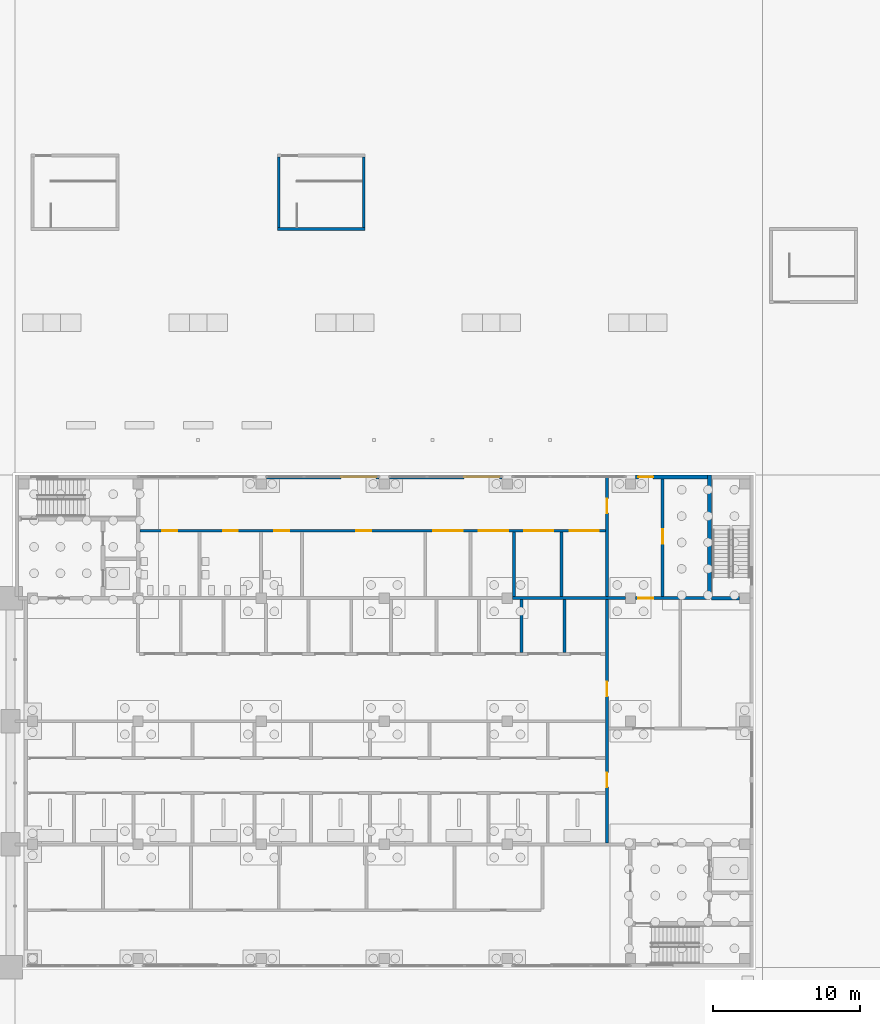
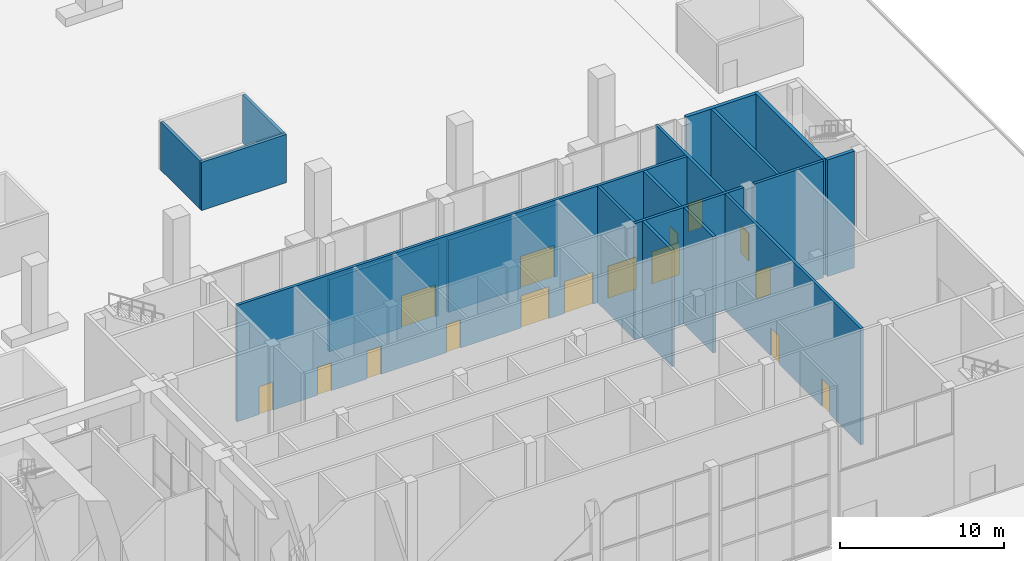
# One storey, part 27 of 46: 17 walls, 16 doors, 16 openings.
"""IFC4 building model written with IfcOpenShell, lengths in metres."""

from ifc_helpers import new_model, si_unit, direction, frame, frame_2d, origin, place, context, subcontext, project, spatial, rectangle, extrude, material, layer, layer_set, type_object, element, fill, save


model = new_model("IFC4")

# Units and contexts
model_context = context("Model", 3, precision=1e-05, world=origin(), true_north=direction((0.0, 1.0)))
body_context = subcontext(model_context, "Body", "Model", "MODEL_VIEW")
ifc_project = project(units=[si_unit("LENGTHUNIT", "METRE"), si_unit("AREAUNIT", "SQUARE_METRE"), si_unit("VOLUMEUNIT", "CUBIC_METRE"), si_unit("PLANEANGLEUNIT", "RADIAN"), si_unit("MASSUNIT", "GRAM", prefix="KILO")], contexts=[model_context])

# Site, building, storey
site_placement = place(None, origin())
site = spatial("IfcSite", under=ifc_project, at=site_placement, CompositionType="ELEMENT")
building_placement = place(site_placement, origin())
building = spatial("IfcBuilding", under=site, at=building_placement, Name="Vermilion Gate Residences", CompositionType="ELEMENT")
storey_placement = place(building_placement, origin())
storey = spatial("IfcBuildingStorey", under=building, at=storey_placement, Name="L00", CompositionType="ELEMENT", Elevation=0.0)

# Wall, opening, door
ifc_material_1 = material(Name="Insulated masonry", Category="masonry")
ifc_layer_1 = layer(ifc_material_1, 0.25)
ifc_layer_set_1 = layer_set([ifc_layer_1], Name="EXTERNAL WALL 250 MASONRY (MARKET HALL)")
wall_type_1 = type_object("IfcWallType", Name="EXTERNAL WALL 250 MASONRY (MARKET HALL)", PredefinedType="SOLIDWALL", material=ifc_layer_set_1)
wall_1_placement = place(storey_placement, frame((109.85009765625, 33.47509765625, 0.0), z_axis=(0.0, 0.0, 1.0), x_axis=(1.0, 0.0, 0.0)))
wall_1 = element("IfcWall", 1, at=wall_1_placement, inside=storey, type_object=wall_type_1, Name="External wall L00-43", PredefinedType="SOLIDWALL", context=body_context, shape_type="SweptSolid", body=[
    extrude(rectangle(XDim=4.9248046875, YDim=0.25, at=frame_2d((2.46240234375, 0.0))), origin(), (0.0, 0.0, 1.0), 8.699951171875),
])
opening_1_placement = place(wall_1_placement, frame((0.199951171875, 0.0, 0.0)))
opening_1 = element("IfcOpeningElement", 2, at=opening_1_placement, cuts=wall_1, Name="Opening DH00061", PredefinedType="OPENING", context=body_context, shape_type="SweptSolid", body=[
    extrude(rectangle(XDim=1.0, YDim=2.10009765625, at=frame_2d((0.5, 1.050048828125))), frame((0.0, 0.135009765625, 0.0), z_axis=(0.0, -1.0, 0.0), x_axis=(1.0, 0.0, 0.0)), (0.0, 0.0, 1.0), 0.27001953125),
])
ifc_material_2 = material(Name="Steel", Category="steel")
door_type_1 = type_object("IfcDoorType", Name="EXIT DOOR FD60 1000 X 2100 (MARKET HALL)", OperationType="SINGLE_SWING_LEFT", PredefinedType="DOOR", material=ifc_material_2)
door_1_placement = place(opening_1_placement, origin())
door_1 = element("IfcDoor", 3, at=door_1_placement, inside=storey, type_object=door_type_1, Name="Exit door DH00061", OperationType="SINGLE_SWING_LEFT", OverallHeight=2.10009765625, OverallWidth=1.0, PredefinedType="DOOR", context=body_context, shape_type="SweptSolid", body=[
    extrude(rectangle(XDim=1.0, YDim=2.10009765625, at=frame_2d((0.5, 1.050048828125))), frame((0.0, 0.02490234375, 0.0), z_axis=(0.0, -1.0, 0.0), x_axis=(1.0, 0.0, 0.0)), (0.0, 0.0, 1.0), 0.050048828125),
])
fill(opening_1, door_1)

ifc_material_3 = material(Name="Insulated masonry", Category="masonry")
ifc_layer_2 = layer(ifc_material_3, 0.25)
ifc_layer_set_2 = layer_set([ifc_layer_2], Name="EXTERNAL WALL 250 MASONRY 5400 HIGH (MARKET HALL)")
wall_type_2 = type_object("IfcWallType", Name="EXTERNAL WALL 250 MASONRY 5400 HIGH (MARKET HALL)", PredefinedType="SOLIDWALL", material=ifc_layer_set_2)
wall_2_placement = place(storey_placement, frame((84.64990234375, 33.47509765625, 0.0), z_axis=(0.0, 0.0, 1.0), x_axis=(1.0, 0.0, 0.0)))
wall_2 = element("IfcWall", 4, at=wall_2_placement, inside=storey, type_object=wall_type_2, Name="External wall L00-40", PredefinedType="SOLIDWALL", context=body_context, shape_type="SweptSolid", body=[
    extrude(rectangle(XDim=7.7001953125, YDim=0.25, at=frame_2d((3.85009765625, 0.0))), origin(), (0.0, 0.0, 1.0), 5.39990234375),
])
opening_2_placement = place(wall_2_placement, frame((5.10009765625, 0.0, 0.0)))
opening_2 = element("IfcOpeningElement", 5, at=opening_2_placement, cuts=wall_2, Name="Opening DH00059", PredefinedType="OPENING", context=body_context, shape_type="SweptSolid", body=[
    extrude(rectangle(XDim=2.39990234375, YDim=2.39990234375, at=frame_2d((1.199951171875, 1.199951171875))), frame((0.0, 0.135009765625, 0.0), z_axis=(0.0, -1.0, 0.0), x_axis=(1.0, 0.0, 0.0)), (0.0, 0.0, 1.0), 0.27001953125),
])
ifc_material_4 = material(Name="Aluminium and glass", Category="aluminium")
door_type_2 = type_object("IfcDoorType", Name="ENTRANCE DOOR 2400 X 2400 DOUBLE (MARKET HALL)", OperationType="DOUBLE_DOOR_SINGLE_SWING", PredefinedType="DOOR", material=ifc_material_4)
door_2_placement = place(opening_2_placement, origin())
door_2 = element("IfcDoor", 6, at=door_2_placement, inside=storey, type_object=door_type_2, Name="Entrance door DH00059", OperationType="DOUBLE_DOOR_SINGLE_SWING", OverallHeight=2.39990234375, OverallWidth=2.39990234375, PredefinedType="DOOR", context=body_context, shape_type="SweptSolid", body=[
    extrude(rectangle(XDim=2.39990234375, YDim=2.39990234375, at=frame_2d((1.199951171875, 1.199951171875))), frame((0.0, 0.02490234375, 0.0), z_axis=(0.0, -1.0, 0.0), x_axis=(1.0, 0.0, 0.0)), (0.0, 0.0, 1.0), 0.050048828125),
])
fill(opening_2, door_2)

wall_3_placement = place(storey_placement, frame((93.050048828125, 33.47509765625, 0.0), z_axis=(0.0, 0.0, 1.0), x_axis=(1.0, 0.0, 0.0)))
wall_3 = element("IfcWall", 7, at=wall_3_placement, inside=storey, type_object=wall_type_2, Name="External wall L00-41", PredefinedType="SOLIDWALL", context=body_context, shape_type="SweptSolid", body=[
    extrude(rectangle(XDim=7.699951171875, YDim=0.25, at=frame_2d((3.85009765625, 0.0))), origin(), (0.0, 0.0, 1.0), 5.39990234375),
])
opening_3_placement = place(wall_3_placement, frame((5.10009765625, 0.0, 0.0)))
opening_3 = element("IfcOpeningElement", 8, at=opening_3_placement, cuts=wall_3, Name="Opening DH00060", PredefinedType="OPENING", context=body_context, shape_type="SweptSolid", body=[
    extrude(rectangle(XDim=2.39990234375, YDim=2.39990234375, at=frame_2d((1.199951171875, 1.199951171875))), frame((0.0, 0.135009765625, 0.0), z_axis=(0.0, -1.0, 0.0), x_axis=(1.0, 0.0, 0.0)), (0.0, 0.0, 1.0), 0.27001953125),
])
door_3_placement = place(opening_3_placement, origin())
door_3 = element("IfcDoor", 9, at=door_3_placement, inside=storey, type_object=door_type_2, Name="Entrance door DH00060", OperationType="DOUBLE_DOOR_SINGLE_SWING", OverallHeight=2.39990234375, OverallWidth=2.39990234375, PredefinedType="DOOR", context=body_context, shape_type="SweptSolid", body=[
    extrude(rectangle(XDim=2.39990234375, YDim=2.39990234375, at=frame_2d((1.199951171875, 1.199951171875))), frame((0.0, 0.02490234375, 0.0), z_axis=(0.0, -1.0, 0.0), x_axis=(1.0, 0.0, 0.0)), (0.0, 0.0, 1.0), 0.050048828125),
])
fill(opening_3, door_3)

# Wall
ifc_material_5 = material(Name="Masonry", Category="masonry")
ifc_layer_3 = layer(ifc_material_5, 0.199951171875)
ifc_layer_set_3 = layer_set([ifc_layer_3], Name="PARTITION 200 MASONRY EI 60 (MARKET HALL)")
wall_type_3 = type_object("IfcWallType", Name="PARTITION 200 MASONRY EI 60 (MARKET HALL)", PredefinedType="PARTITIONING", material=ifc_layer_set_3)
wall_4_placement = place(storey_placement, frame((101.449951171875, 25.199951171875, 0.0), z_axis=(0.0, 0.0, 1.0), x_axis=(1.0, 0.0, 0.0)))
element("IfcWall", 10, at=wall_4_placement, inside=storey, type_object=wall_type_3, Name="Partition wall L00-32", PredefinedType="PARTITIONING", context=body_context, shape_type="SweptSolid", body=[
    extrude(rectangle(XDim=7.699951171875, YDim=0.199951171875, at=frame_2d((3.85009765625, 0.0))), origin(), (0.0, 0.0, 1.0), 8.699951171875),
])

# Wall, opening, door
wall_5_placement = place(storey_placement, frame((109.85009765625, 25.199951171875, 0.0), z_axis=(0.0, 0.0, 1.0), x_axis=(1.0, 0.0, 0.0)))
wall_5 = element("IfcWall", 11, at=wall_5_placement, inside=storey, type_object=wall_type_3, Name="Partition wall L00-33", PredefinedType="PARTITIONING", context=body_context, shape_type="SweptSolid", body=[
    extrude(rectangle(XDim=4.9248046875, YDim=0.199951171875, at=frame_2d((2.46240234375, 0.0))), origin(), (0.0, 0.0, 1.0), 8.699951171875),
])
opening_4_placement = place(wall_5_placement, frame((0.199951171875, 0.0, 0.0)))
opening_4 = element("IfcOpeningElement", 12, at=opening_4_placement, cuts=wall_5, Name="Opening DH00053", PredefinedType="OPENING", context=body_context, shape_type="SweptSolid", body=[
    extrude(rectangle(XDim=1.0, YDim=2.10009765625, at=frame_2d((0.5, 1.050048828125))), frame((0.0, 0.10986328125, 0.0), z_axis=(0.0, -1.0, 0.0), x_axis=(1.0, 0.0, 0.0)), (0.0, 0.0, 1.0), 0.219970703125),
])
ifc_material_6 = material(Name="Steel", Category="steel")
door_type_3 = type_object("IfcDoorType", Name="FIRE DOOR FD30 1000 X 2100 (MARKET HALL)", OperationType="SINGLE_SWING_LEFT", PredefinedType="DOOR", material=ifc_material_6)
door_4_placement = place(opening_4_placement, frame((1.0, 0.0, 0.0), z_axis=(0.0, 0.0, 1.0), x_axis=(-1.0, 0.0, 0.0)))
door_4 = element("IfcDoor", 13, at=door_4_placement, inside=storey, type_object=door_type_3, Name="Fire door DH00053", OperationType="SINGLE_SWING_RIGHT", OverallHeight=2.10009765625, OverallWidth=1.0, PredefinedType="DOOR", context=body_context, shape_type="SweptSolid", body=[
    extrude(rectangle(XDim=1.0, YDim=2.10009765625, at=frame_2d((0.5, 1.050048828125))), frame((0.0, 0.02490234375, 0.0), z_axis=(0.0, -1.0, 0.0), x_axis=(1.0, 0.0, 0.0)), (0.0, 0.0, 1.0), 0.050048828125),
])
fill(opening_4, door_4)

# Wall, openings, doors
wall_6_placement = place(storey_placement, frame((76.02490234375, 29.800048828125, 0.0), z_axis=(0.0, 0.0, 1.0), x_axis=(1.0, 0.0, 0.0)))
wall_6 = element("IfcWall", 14, at=wall_6_placement, inside=storey, type_object=wall_type_3, Name="Partition wall L00-36", PredefinedType="PARTITIONING", context=body_context, shape_type="SweptSolid", body=[
    extrude(rectangle(XDim=31.775146484375, YDim=0.199951171875, at=frame_2d((15.8876953125, 0.0))), origin(), (0.0, 0.0, 1.0), 8.699951171875),
])
opening_5_placement = place(wall_6_placement, frame((1.53759765625, 0.0, 0.0)))
opening_5 = element("IfcOpeningElement", 15, at=opening_5_placement, cuts=wall_6, Name="Opening DH00038", PredefinedType="OPENING", context=body_context, shape_type="SweptSolid", body=[
    extrude(rectangle(XDim=1.0, YDim=2.10009765625, at=frame_2d((0.5, 1.050048828125))), frame((0.0, 0.10986328125, 0.0), z_axis=(0.0, -1.0, 0.0), x_axis=(1.0, 0.0, 0.0)), (0.0, 0.0, 1.0), 0.219970703125),
])
opening_6_placement = place(wall_6_placement, frame((5.675048828125, 0.0, 0.0)))
opening_6 = element("IfcOpeningElement", 16, at=opening_6_placement, cuts=wall_6, Name="Opening DH00039", PredefinedType="OPENING", context=body_context, shape_type="SweptSolid", body=[
    extrude(rectangle(XDim=1.0, YDim=2.10009765625, at=frame_2d((0.5, 1.050048828125))), frame((0.0, 0.10986328125, 0.0), z_axis=(0.0, -1.0, 0.0), x_axis=(1.0, 0.0, 0.0)), (0.0, 0.0, 1.0), 0.219970703125),
])
opening_7_placement = place(wall_6_placement, frame((9.175048828125, 0.0, 0.0)))
opening_7 = element("IfcOpeningElement", 17, at=opening_7_placement, cuts=wall_6, Name="Opening DH00040", PredefinedType="OPENING", context=body_context, shape_type="SweptSolid", body=[
    extrude(rectangle(XDim=1.0, YDim=2.10009765625, at=frame_2d((0.5, 1.050048828125))), frame((0.0, 0.10986328125, 0.0), z_axis=(0.0, -1.0, 0.0), x_axis=(1.0, 0.0, 0.0)), (0.0, 0.0, 1.0), 0.219970703125),
])
opening_8_placement = place(wall_6_placement, frame((14.77490234375, 0.0, 0.0)))
opening_8 = element("IfcOpeningElement", 18, at=opening_8_placement, cuts=wall_6, Name="Opening DH00041", PredefinedType="OPENING", context=body_context, shape_type="SweptSolid", body=[
    extrude(rectangle(XDim=1.0, YDim=2.10009765625, at=frame_2d((0.5, 1.050048828125))), frame((0.0, 0.10986328125, 0.0), z_axis=(0.0, -1.0, 0.0), x_axis=(1.0, 0.0, 0.0)), (0.0, 0.0, 1.0), 0.219970703125),
])
opening_9_placement = place(wall_6_placement, frame((20.02490234375, 0.0, 0.0)))
opening_9 = element("IfcOpeningElement", 19, at=opening_9_placement, cuts=wall_6, Name="Opening DH00042", PredefinedType="OPENING", context=body_context, shape_type="SweptSolid", body=[
    extrude(rectangle(XDim=2.0, YDim=2.39990234375, at=frame_2d((1.0, 1.199951171875))), frame((0.0, 0.10986328125, 0.0), z_axis=(0.0, -1.0, 0.0), x_axis=(1.0, 0.0, 0.0)), (0.0, 0.0, 1.0), 0.219970703125),
])
opening_10_placement = place(wall_6_placement, frame((23.125, 0.0, 0.0)))
opening_10 = element("IfcOpeningElement", 20, at=opening_10_placement, cuts=wall_6, Name="Opening DH00043", PredefinedType="OPENING", context=body_context, shape_type="SweptSolid", body=[
    extrude(rectangle(XDim=2.0, YDim=2.39990234375, at=frame_2d((1.0, 1.199951171875))), frame((0.0, 0.10986328125, 0.0), z_axis=(0.0, -1.0, 0.0), x_axis=(1.0, 0.0, 0.0)), (0.0, 0.0, 1.0), 0.219970703125),
])
opening_11_placement = place(wall_6_placement, frame((26.22509765625, 0.0, 0.0)))
opening_11 = element("IfcOpeningElement", 21, at=opening_11_placement, cuts=wall_6, Name="Opening DH00044", PredefinedType="OPENING", context=body_context, shape_type="SweptSolid", body=[
    extrude(rectangle(XDim=2.0, YDim=2.39990234375, at=frame_2d((1.0, 1.199951171875))), frame((0.0, 0.10986328125, 0.0), z_axis=(0.0, -1.0, 0.0), x_axis=(1.0, 0.0, 0.0)), (0.0, 0.0, 1.0), 0.219970703125),
])
opening_12_placement = place(wall_6_placement, frame((29.324951171875, 0.0, 0.0)))
opening_12 = element("IfcOpeningElement", 22, at=opening_12_placement, cuts=wall_6, Name="Opening DH00045", PredefinedType="OPENING", context=body_context, shape_type="SweptSolid", body=[
    extrude(rectangle(XDim=2.0, YDim=2.39990234375, at=frame_2d((1.0, 1.199951171875))), frame((0.0, 0.10986328125, 0.0), z_axis=(0.0, -1.0, 0.0), x_axis=(1.0, 0.0, 0.0)), (0.0, 0.0, 1.0), 0.219970703125),
])
door_5_placement = place(opening_8_placement, frame((1.0, 0.0, 0.0), z_axis=(0.0, 0.0, 1.0), x_axis=(-1.0, 0.0, 0.0)))
door_5 = element("IfcDoor", 23, at=door_5_placement, inside=storey, type_object=door_type_3, Name="Fire door DH00041", OperationType="SINGLE_SWING_RIGHT", OverallHeight=2.10009765625, OverallWidth=1.0, PredefinedType="DOOR", context=body_context, shape_type="SweptSolid", body=[
    extrude(rectangle(XDim=1.0, YDim=2.10009765625, at=frame_2d((0.5, 1.050048828125))), frame((0.0, 0.02490234375, 0.0), z_axis=(0.0, -1.0, 0.0), x_axis=(1.0, 0.0, 0.0)), (0.0, 0.0, 1.0), 0.050048828125),
])
fill(opening_8, door_5)
ifc_material_7 = material(Name="Aluminium", Category="aluminium")
door_type_4 = type_object("IfcDoorType", Name="STALL ROLLER SHUTTER 2000 X 2400 (MARKET HALL)", OperationType="ROLLINGUP", PredefinedType="DOOR", material=ifc_material_7)
door_6_placement = place(opening_9_placement, origin())
door_6 = element("IfcDoor", 24, at=door_6_placement, inside=storey, type_object=door_type_4, Name="Stall roller shutter DH00042", OperationType="ROLLINGUP", OverallHeight=2.39990234375, OverallWidth=2.0, PredefinedType="DOOR", context=body_context, shape_type="SweptSolid", body=[
    extrude(rectangle(XDim=2.0, YDim=2.39990234375, at=frame_2d((1.0, 1.199951171875))), frame((0.0, 0.02490234375, 0.0), z_axis=(0.0, -1.0, 0.0), x_axis=(1.0, 0.0, 0.0)), (0.0, 0.0, 1.0), 0.050048828125),
])
fill(opening_9, door_6)
door_7_placement = place(opening_10_placement, origin())
door_7 = element("IfcDoor", 25, at=door_7_placement, inside=storey, type_object=door_type_4, Name="Stall roller shutter DH00043", OperationType="ROLLINGUP", OverallHeight=2.39990234375, OverallWidth=2.0, PredefinedType="DOOR", context=body_context, shape_type="SweptSolid", body=[
    extrude(rectangle(XDim=2.0, YDim=2.39990234375, at=frame_2d((1.0, 1.199951171875))), frame((0.0, 0.02490234375, 0.0), z_axis=(0.0, -1.0, 0.0), x_axis=(1.0, 0.0, 0.0)), (0.0, 0.0, 1.0), 0.050048828125),
])
fill(opening_10, door_7)
door_8_placement = place(opening_11_placement, origin())
door_8 = element("IfcDoor", 26, at=door_8_placement, inside=storey, type_object=door_type_4, Name="Stall roller shutter DH00044", OperationType="ROLLINGUP", OverallHeight=2.39990234375, OverallWidth=2.0, PredefinedType="DOOR", context=body_context, shape_type="SweptSolid", body=[
    extrude(rectangle(XDim=2.0, YDim=2.39990234375, at=frame_2d((1.0, 1.199951171875))), frame((0.0, 0.02490234375, 0.0), z_axis=(0.0, -1.0, 0.0), x_axis=(1.0, 0.0, 0.0)), (0.0, 0.0, 1.0), 0.050048828125),
])
fill(opening_11, door_8)
door_9_placement = place(opening_12_placement, origin())
door_9 = element("IfcDoor", 27, at=door_9_placement, inside=storey, type_object=door_type_4, Name="Stall roller shutter DH00045", OperationType="ROLLINGUP", OverallHeight=2.39990234375, OverallWidth=2.0, PredefinedType="DOOR", context=body_context, shape_type="SweptSolid", body=[
    extrude(rectangle(XDim=2.0, YDim=2.39990234375, at=frame_2d((1.0, 1.199951171875))), frame((0.0, 0.02490234375, 0.0), z_axis=(0.0, -1.0, 0.0), x_axis=(1.0, 0.0, 0.0)), (0.0, 0.0, 1.0), 0.050048828125),
])
fill(opening_12, door_9)
ifc_material_8 = material(Name="Timber", Category="wood")
door_type_5 = type_object("IfcDoorType", Name="TIMBER DOOR 1000 X 2100 (MARKET HALL)", OperationType="SINGLE_SWING_LEFT", PredefinedType="DOOR", material=ifc_material_8)
door_10_placement = place(opening_5_placement, frame((1.0, 0.0, 0.0), z_axis=(0.0, 0.0, 1.0), x_axis=(-1.0, 0.0, 0.0)))
door_10 = element("IfcDoor", 28, at=door_10_placement, inside=storey, type_object=door_type_5, Name="WC door DH00038", OperationType="SINGLE_SWING_LEFT", OverallHeight=2.10009765625, OverallWidth=1.0, PredefinedType="DOOR", context=body_context, shape_type="SweptSolid", body=[
    extrude(rectangle(XDim=1.0, YDim=2.10009765625, at=frame_2d((0.5, 1.050048828125))), frame((0.0, 0.02490234375, 0.0), z_axis=(0.0, -1.0, 0.0), x_axis=(1.0, 0.0, 0.0)), (0.0, 0.0, 1.0), 0.050048828125),
])
fill(opening_5, door_10)
door_11_placement = place(opening_6_placement, frame((1.0, 0.0, 0.0), z_axis=(0.0, 0.0, 1.0), x_axis=(-1.0, 0.0, 0.0)))
door_11 = element("IfcDoor", 29, at=door_11_placement, inside=storey, type_object=door_type_5, Name="WC door DH00039", OperationType="SINGLE_SWING_LEFT", OverallHeight=2.10009765625, OverallWidth=1.0, PredefinedType="DOOR", context=body_context, shape_type="SweptSolid", body=[
    extrude(rectangle(XDim=1.0, YDim=2.10009765625, at=frame_2d((0.5, 1.050048828125))), frame((0.0, 0.02490234375, 0.0), z_axis=(0.0, -1.0, 0.0), x_axis=(1.0, 0.0, 0.0)), (0.0, 0.0, 1.0), 0.050048828125),
])
fill(opening_6, door_11)
door_12_placement = place(opening_7_placement, frame((1.0, 0.0, 0.0), z_axis=(0.0, 0.0, 1.0), x_axis=(-1.0, 0.0, 0.0)))
door_12 = element("IfcDoor", 30, at=door_12_placement, inside=storey, type_object=door_type_5, Name="WC door DH00040", OperationType="SINGLE_SWING_LEFT", OverallHeight=2.10009765625, OverallWidth=1.0, PredefinedType="DOOR", context=body_context, shape_type="SweptSolid", body=[
    extrude(rectangle(XDim=1.0, YDim=2.10009765625, at=frame_2d((0.5, 1.050048828125))), frame((0.0, 0.02490234375, 0.0), z_axis=(0.0, -1.0, 0.0), x_axis=(1.0, 0.0, 0.0)), (0.0, 0.0, 1.0), 0.050048828125),
])
fill(opening_7, door_12)

# Walls
wall_7_placement = place(storey_placement, frame((101.550048828125, 25.300048828125, 0.0), z_axis=(0.0, 0.0, 1.0), x_axis=(0.0, 1.0, 0.0)))
element("IfcWall", 31, at=wall_7_placement, inside=storey, type_object=wall_type_3, Name="Partition wall L00-84", PredefinedType="PARTITIONING", context=body_context, shape_type="SweptSolid", body=[
    extrude(rectangle(XDim=4.39990234375, YDim=0.199951171875, at=frame_2d((2.199951171875, 0.0))), origin(), (0.0, 0.0, 1.0), 8.699951171875),
])
wall_8_placement = place(storey_placement, frame((102.081787109375, 21.5, 0.0), z_axis=(0.0, 0.0, 1.0), x_axis=(0.0, 1.0, 0.0)))
element("IfcWall", 32, at=wall_8_placement, inside=storey, type_object=wall_type_3, Name="Partition wall L00-85", PredefinedType="PARTITIONING", context=body_context, shape_type="SweptSolid", body=[
    extrude(rectangle(XDim=3.60009765625, YDim=0.199951171875, at=frame_2d((1.800048828125, 0.0))), origin(), (0.0, 0.0, 1.0), 8.699951171875),
])
wall_9_placement = place(storey_placement, frame((104.800048828125, 25.300048828125, 0.0), z_axis=(0.0, 0.0, 1.0), x_axis=(0.0, 1.0, 0.0)))
element("IfcWall", 33, at=wall_9_placement, inside=storey, type_object=wall_type_3, Name="Partition wall L00-89", PredefinedType="PARTITIONING", context=body_context, shape_type="SweptSolid", body=[
    extrude(rectangle(XDim=4.39990234375, YDim=0.199951171875, at=frame_2d((2.199951171875, 0.0))), origin(), (0.0, 0.0, 1.0), 8.699951171875),
])
wall_10_placement = place(storey_placement, frame((104.990966796875, 21.5, 0.0), z_axis=(0.0, 0.0, 1.0), x_axis=(0.0, 1.0, 0.0)))
element("IfcWall", 34, at=wall_10_placement, inside=storey, type_object=wall_type_3, Name="Partition wall L00-90", PredefinedType="PARTITIONING", context=body_context, shape_type="SweptSolid", body=[
    extrude(rectangle(XDim=3.60009765625, YDim=0.199951171875, at=frame_2d((1.800048828125, 0.0))), origin(), (0.0, 0.0, 1.0), 8.699951171875),
])

# Wall, openings, doors
wall_11_placement = place(storey_placement, frame((107.89990234375, 8.5, 0.0), z_axis=(0.0, 0.0, 1.0), x_axis=(0.0, 1.0, 0.0)))
wall_11 = element("IfcWall", 35, at=wall_11_placement, inside=storey, type_object=wall_type_3, Name="Partition wall L00-91", PredefinedType="PARTITIONING", context=body_context, shape_type="SweptSolid", body=[
    extrude(rectangle(XDim=25.10009765625, YDim=0.199951171875, at=frame_2d((12.550048828125, 0.0))), origin(), (0.0, 0.0, 1.0), 8.699951171875),
])
opening_13_placement = place(wall_11_placement, frame((3.800048828125, 0.0, 0.0)))
opening_13 = element("IfcOpeningElement", 36, at=opening_13_placement, cuts=wall_11, Name="Opening DH00049", PredefinedType="OPENING", context=body_context, shape_type="SweptSolid", body=[
    extrude(rectangle(XDim=1.0, YDim=2.10009765625, at=frame_2d((0.5, 1.050048828125))), frame((0.0, 0.10986328125, 0.0), z_axis=(0.0, -1.0, 0.0), x_axis=(1.0, 0.0, 0.0)), (0.0, 0.0, 1.0), 0.219970703125),
])
opening_14_placement = place(wall_11_placement, frame((10.0, 0.0, 0.0)))
opening_14 = element("IfcOpeningElement", 37, at=opening_14_placement, cuts=wall_11, Name="Opening DH00052", PredefinedType="OPENING", context=body_context, shape_type="SweptSolid", body=[
    extrude(rectangle(XDim=1.0, YDim=2.10009765625, at=frame_2d((0.5, 1.050048828125))), frame((0.0, 0.10986328125, 0.0), z_axis=(0.0, -1.0, 0.0), x_axis=(1.0, 0.0, 0.0)), (0.0, 0.0, 1.0), 0.219970703125),
])
opening_15_placement = place(wall_11_placement, frame((22.5, 0.0, 0.0)))
opening_15 = element("IfcOpeningElement", 38, at=opening_15_placement, cuts=wall_11, Name="Opening DH00054", PredefinedType="OPENING", context=body_context, shape_type="SweptSolid", body=[
    extrude(rectangle(XDim=1.0, YDim=2.10009765625, at=frame_2d((0.5, 1.050048828125))), frame((0.0, 0.10986328125, 0.0), z_axis=(0.0, -1.0, 0.0), x_axis=(1.0, 0.0, 0.0)), (0.0, 0.0, 1.0), 0.219970703125),
])
door_13_placement = place(opening_13_placement, frame((1.0, 0.0, 0.0), z_axis=(0.0, 0.0, 1.0), x_axis=(-1.0, 0.0, 0.0)))
door_13 = element("IfcDoor", 39, at=door_13_placement, inside=storey, type_object=door_type_3, Name="Fire door DH00049", OperationType="SINGLE_SWING_LEFT", OverallHeight=2.10009765625, OverallWidth=1.0, PredefinedType="DOOR", context=body_context, shape_type="SweptSolid", body=[
    extrude(rectangle(XDim=1.0, YDim=2.10009765625, at=frame_2d((0.5, 1.050048828125))), frame((0.0, 0.02490234375, 0.0), z_axis=(0.0, -1.0, 0.0), x_axis=(1.0, 0.0, 0.0)), (0.0, 0.0, 1.0), 0.050048828125),
])
fill(opening_13, door_13)
door_14_placement = place(opening_14_placement, frame((1.0, 0.0, 0.0), z_axis=(0.0, 0.0, 1.0), x_axis=(-1.0, 0.0, 0.0)))
door_14 = element("IfcDoor", 40, at=door_14_placement, inside=storey, type_object=door_type_3, Name="Fire door DH00052", OperationType="SINGLE_SWING_RIGHT", OverallHeight=2.10009765625, OverallWidth=1.0, PredefinedType="DOOR", context=body_context, shape_type="SweptSolid", body=[
    extrude(rectangle(XDim=1.0, YDim=2.10009765625, at=frame_2d((0.5, 1.050048828125))), frame((0.0, 0.02490234375, 0.0), z_axis=(0.0, -1.0, 0.0), x_axis=(1.0, 0.0, 0.0)), (0.0, 0.0, 1.0), 0.050048828125),
])
fill(opening_14, door_14)
door_15_placement = place(opening_15_placement, origin())
door_15 = element("IfcDoor", 41, at=door_15_placement, inside=storey, type_object=door_type_3, Name="Fire door DH00054", OperationType="SINGLE_SWING_LEFT", OverallHeight=2.10009765625, OverallWidth=1.0, PredefinedType="DOOR", context=body_context, shape_type="SweptSolid", body=[
    extrude(rectangle(XDim=1.0, YDim=2.10009765625, at=frame_2d((0.5, 1.050048828125))), frame((0.0, 0.02490234375, 0.0), z_axis=(0.0, -1.0, 0.0), x_axis=(1.0, 0.0, 0.0)), (0.0, 0.0, 1.0), 0.050048828125),
])
fill(opening_15, door_15)

# Wall, opening, door
wall_12_placement = place(storey_placement, frame((111.699951171875, 25.300048828125, 0.0), z_axis=(0.0, 0.0, 1.0), x_axis=(0.0, 1.0, 0.0)))
wall_12 = element("IfcWall", 42, at=wall_12_placement, inside=storey, type_object=wall_type_3, Name="Partition wall L00-93", PredefinedType="PARTITIONING", context=body_context, shape_type="SweptSolid", body=[
    extrude(rectangle(XDim=8.300048828125, YDim=0.199951171875, at=frame_2d((4.14990234375, 0.0))), origin(), (0.0, 0.0, 1.0), 8.699951171875),
])
opening_16_placement = place(wall_12_placement, frame((3.60009765625, 0.0, 0.0)))
opening_16 = element("IfcOpeningElement", 43, at=opening_16_placement, cuts=wall_12, Name="Opening DH00055", PredefinedType="OPENING", context=body_context, shape_type="SweptSolid", body=[
    extrude(rectangle(XDim=1.0, YDim=2.10009765625, at=frame_2d((0.5, 1.050048828125))), frame((0.0, 0.10986328125, 0.0), z_axis=(0.0, -1.0, 0.0), x_axis=(1.0, 0.0, 0.0)), (0.0, 0.0, 1.0), 0.219970703125),
])
door_16_placement = place(opening_16_placement, frame((1.0, 0.0, 0.0), z_axis=(0.0, 0.0, 1.0), x_axis=(-1.0, 0.0, 0.0)))
door_16 = element("IfcDoor", 44, at=door_16_placement, inside=storey, type_object=door_type_3, Name="Fire door DH00055", OperationType="SINGLE_SWING_RIGHT", OverallHeight=2.10009765625, OverallWidth=1.0, PredefinedType="DOOR", context=body_context, shape_type="SweptSolid", body=[
    extrude(rectangle(XDim=1.0, YDim=2.10009765625, at=frame_2d((0.5, 1.050048828125))), frame((0.0, 0.02490234375, 0.0), z_axis=(0.0, -1.0, 0.0), x_axis=(1.0, 0.0, 0.0)), (0.0, 0.0, 1.0), 0.050048828125),
])
fill(opening_16, door_16)

# Walls
ifc_material_9 = material(Name="Concrete C45", Category="concrete")
ifc_layer_4 = layer(ifc_material_9, 0.25)
ifc_layer_set_4 = layer_set([ifc_layer_4], Name="RC CORE WALL 250 C45 (MARKET HALL)")
wall_type_4 = type_object("IfcWallType", Name="RC CORE WALL 250 C45 (MARKET HALL)", PredefinedType="SHEAR", material=ifc_layer_set_4)
wall_13_placement = place(storey_placement, frame((115.02490234375, 25.199951171875, 0.0), z_axis=(0.0, 0.0, 1.0), x_axis=(1.0, 0.0, 0.0)))
element("IfcWall", 45, at=wall_13_placement, inside=storey, type_object=wall_type_4, Name="Core wall L00-34", PredefinedType="SHEAR", context=body_context, shape_type="SweptSolid", body=[
    extrude(rectangle(XDim=1.925048828125, YDim=0.25, at=frame_2d((0.96240234375, 0.0))), origin(), (0.0, 0.0, 1.0), 8.699951171875),
])
wall_14_placement = place(storey_placement, frame((114.89990234375, 25.324951171875, 0.0), z_axis=(0.0, 0.0, 1.0), x_axis=(0.0, 1.0, 0.0)))
element("IfcWall", 46, at=wall_14_placement, inside=storey, type_object=wall_type_4, Name="Core wall L00-96", PredefinedType="SHEAR", context=body_context, shape_type="SweptSolid", body=[
    extrude(rectangle(XDim=8.275146484375, YDim=0.25, at=frame_2d((4.1376953125, 0.0))), origin(), (0.0, 0.0, 1.0), 8.699951171875),
])
ifc_material_10 = material(Name="Concrete C40", Category="concrete")
ifc_layer_5 = layer(ifc_material_10, 0.199951171875)
ifc_layer_set_5 = layer_set([ifc_layer_5], Name="RC STAIR AND SHAFT WALL 200 EI 180 C40 (AMENITY)")
wall_type_5 = type_object("IfcWallType", Name="RC STAIR AND SHAFT WALL 200 EI 180 C40 (AMENITY)", PredefinedType="SOLIDWALL", material=ifc_layer_set_5)
wall_15_placement = place(storey_placement, frame((85.5, 50.5, 0.0), z_axis=(0.0, 0.0, 1.0), x_axis=(0.0, 1.0, 0.0)))
element("IfcWall", 47, at=wall_15_placement, inside=storey, type_object=wall_type_5, Name="Stair and shaft wall 60", PredefinedType="SOLIDWALL", context=body_context, shape_type="SweptSolid", body=[
    extrude(rectangle(XDim=4.800048828125, YDim=0.199951171875, at=frame_2d((2.39990234375, 0.0))), origin(), (0.0, 0.0, 1.0), 3.60009765625),
])
wall_16_placement = place(storey_placement, frame((85.39990234375, 50.39990234375, 0.0), z_axis=(0.0, 0.0, 1.0), x_axis=(1.0, 0.0, 0.0)))
element("IfcWall", 48, at=wall_16_placement, inside=storey, type_object=wall_type_5, Name="Stair and shaft wall 61", PredefinedType="SOLIDWALL", context=body_context, shape_type="SweptSolid", body=[
    extrude(rectangle(XDim=6.0, YDim=0.199951171875, at=frame_2d((3.0, 0.0))), origin(), (0.0, 0.0, 1.0), 3.60009765625),
])
wall_17_placement = place(storey_placement, frame((91.300048828125, 50.5, 0.0), z_axis=(0.0, 0.0, 1.0), x_axis=(0.0, 1.0, 0.0)))
element("IfcWall", 49, at=wall_17_placement, inside=storey, type_object=wall_type_5, Name="Stair and shaft wall 66", PredefinedType="SOLIDWALL", context=body_context, shape_type="SweptSolid", body=[
    extrude(rectangle(XDim=4.800048828125, YDim=0.199951171875, at=frame_2d((2.39990234375, 0.0))), origin(), (0.0, 0.0, 1.0), 3.60009765625),
])

save(model, "model.ifc")
